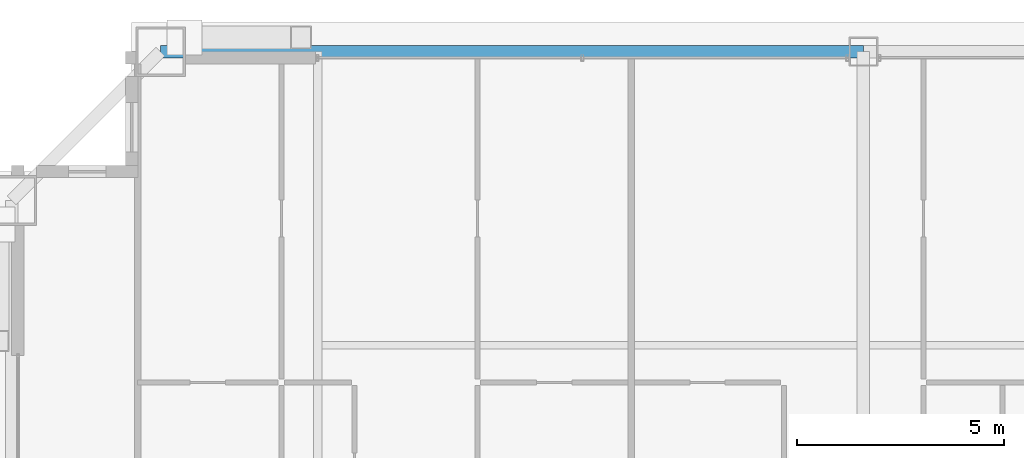
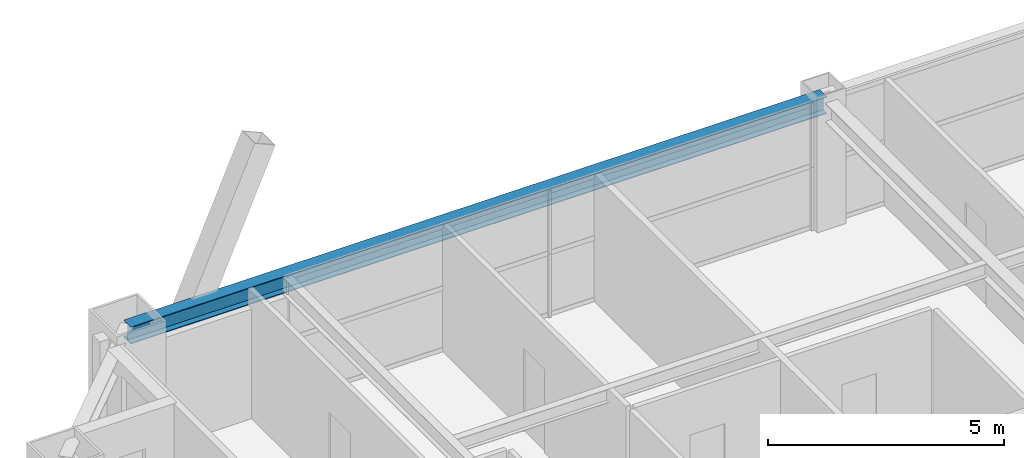
# One storey, part 23 of 35: 1 beam.
"""IFC4 building model written with IfcOpenShell, lengths in metres."""

from ifc_helpers import new_model, si_unit, direction, frame, origin, origin_2d, place, context, subcontext, project, spatial, i_section, extrude, source, transform, mapped, material, material_profile, profile_set, type_object, element, save


model = new_model("IFC4")

# Units and contexts
model_context = context("Model", 3, precision=1e-05, world=origin(), true_north=direction((0.0, 1.0)))
body_context = subcontext(model_context, "Body", "Model", "MODEL_VIEW")
ifc_project = project(units=[si_unit("LENGTHUNIT", "METRE"), si_unit("AREAUNIT", "SQUARE_METRE"), si_unit("VOLUMEUNIT", "CUBIC_METRE"), si_unit("PLANEANGLEUNIT", "RADIAN"), si_unit("MASSUNIT", "GRAM", prefix="KILO"), si_unit("THERMODYNAMICTEMPERATUREUNIT", "KELVIN"), si_unit("POWERUNIT", "WATT")], contexts=[model_context])

# Site, building, storey
site_placement = place(None, origin())
site = spatial("IfcSite", under=ifc_project, at=site_placement, CompositionType="ELEMENT")
building_placement = place(site_placement, origin())
building = spatial("IfcBuilding", under=site, at=building_placement, Name="Yuzanri Waterfront Tower", CompositionType="ELEMENT")
storey_placement = place(building_placement, frame((0.0, 0.0, 248.60009765625)))
storey = spatial("IfcBuildingStorey", under=building, at=storey_placement, Name="L66", CompositionType="ELEMENT", Elevation=248.60009765625)

# Beam
ifc_material = material(Name="Steel Q355B", Category="steel")
ifc_material_profile = material_profile(ifc_material, i_section(OverallWidth=0.300048828125, OverallDepth=0.43994140625, WebThickness=0.010986328125, FlangeThickness=0.01806640625, at=origin_2d()), Name="HM 440x300x11x18")
ifc_profile_set = profile_set([ifc_material_profile], Name="Steel Q355B")
beam_type = type_object("IfcBeamType", Name="Perimeter Spandrel Q355B HM 440x300", PredefinedType="SPANDREL", material=ifc_profile_set)
shared_shape = source(origin(), body_context, "Body", "SweptSolid", [
    extrude(i_section(OverallWidth=0.300048828125, OverallDepth=0.43994140625, WebThickness=0.010986328125, FlangeThickness=0.01806640625, at=origin_2d()), origin(), (0.0, 0.0, 1.0), 17.0),
])
beam_placement = place(storey_placement, frame((37.0, 46.39990234375, 3.059814453125), z_axis=(-1.0, 0.0, 0.0), x_axis=(0.0, -1.0, 0.0)))
element("IfcBeam", 1, at=beam_placement, inside=storey, type_object=beam_type, Name="L66 Perimeter Spandrel N2-N1", PredefinedType="SPANDREL", context=body_context, shape_type="MappedRepresentation", body=[
    mapped(shared_shape, transform((0.0, 0.0, 0.0), scale=1.0)),
])

save(model, "model.ifc")
